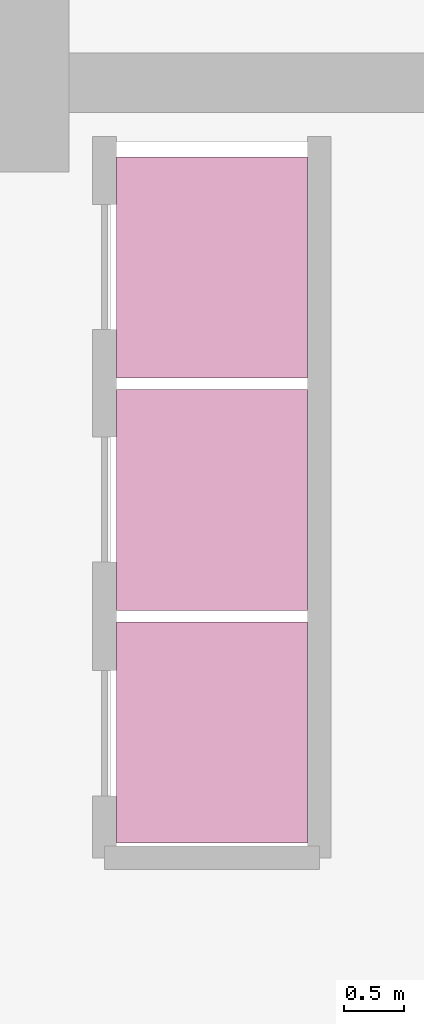
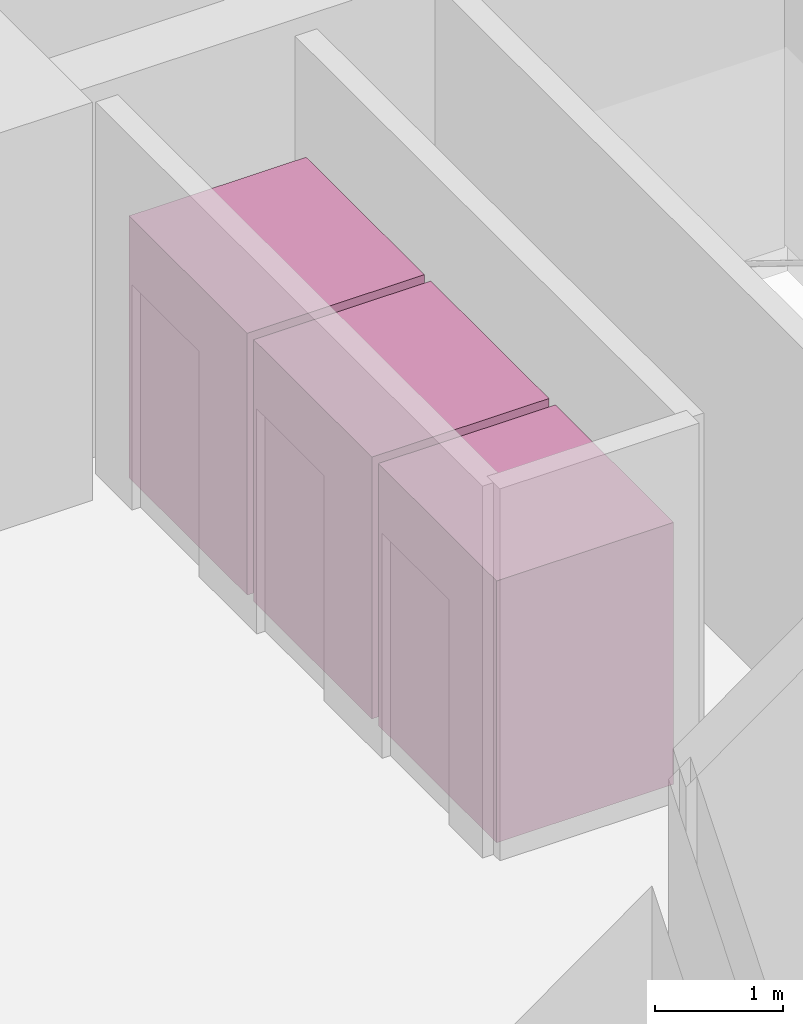
# One storey, part 9 of 9: 3 transport elements.
"""IFC4 building model written with IfcOpenShell, lengths in metres."""

from ifc_helpers import new_model, si_unit, direction, frame, origin, origin_2d, place, context, subcontext, project, spatial, rectangle, extrude, material, type_object, element, save


model = new_model("IFC4")

# Units and contexts
model_context = context("Model", 3, precision=1e-05, world=origin(), true_north=direction((0.0, 1.0)))
body_context = subcontext(model_context, "Body", "Model", "MODEL_VIEW")
ifc_project = project(units=[si_unit("LENGTHUNIT", "METRE"), si_unit("AREAUNIT", "SQUARE_METRE"), si_unit("VOLUMEUNIT", "CUBIC_METRE"), si_unit("PLANEANGLEUNIT", "RADIAN"), si_unit("MASSUNIT", "GRAM", prefix="KILO")], contexts=[model_context])

# Site, building, storey
site_placement = place(None, origin())
site = spatial("IfcSite", under=ifc_project, at=site_placement, CompositionType="ELEMENT")
building_placement = place(site_placement, origin())
building = spatial("IfcBuilding", under=site, at=building_placement, Name="Kuzgunbayir Cultural Tower", CompositionType="ELEMENT")
storey_placement = place(building_placement, frame((0.0, 0.0, -7.60009765625)))
storey = spatial("IfcBuildingStorey", under=building, at=storey_placement, Name="B02", CompositionType="ELEMENT", Elevation=-7.60009765625)

# Transport elements
ifc_material = material(Name="Brushed Stainless Steel", Category="steel")
transport_element_type = type_object("IfcTransportElementType", Name="LFT-PASS-1600", PredefinedType="ELEVATOR", material=ifc_material)
for number, where, z_axis, x_axis, name in (
    (1, (66.550048828125, 36.800048828125, 0.0), (0.0, 0.0, 1.0), (1.0, 0.0, 0.0), "Elevator PC-1"),
    (2, (66.550048828125, 38.75, 0.0), (0.0, 0.0, 1.0), (1.0, 0.0, 0.0), "Elevator PC-2"),
    (3, (66.550048828125, 40.699951171875, 0.0), (0.0, 0.0, 1.0), (1.0, 0.0, 0.0), "Elevator PC-3"),
):
    element("IfcTransportElement", number, at=place(storey_placement, frame(where, z_axis=z_axis, x_axis=x_axis)), inside=storey, type_object=transport_element_type, Name=name, PredefinedType="ELEVATOR", context=body_context, shape_type="SweptSolid", body=[
        extrude(rectangle(XDim=1.60009765625, YDim=1.85009765625, at=origin_2d()), origin(), (0.0, 0.0, 1.0), 2.5),
    ])

save(model, "model.ifc")
